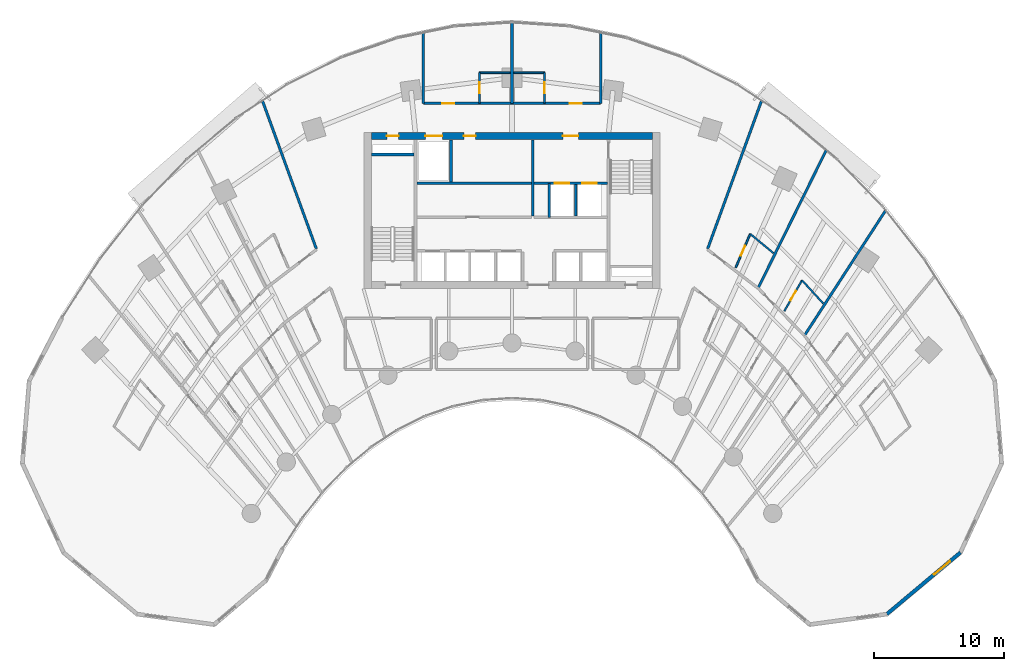
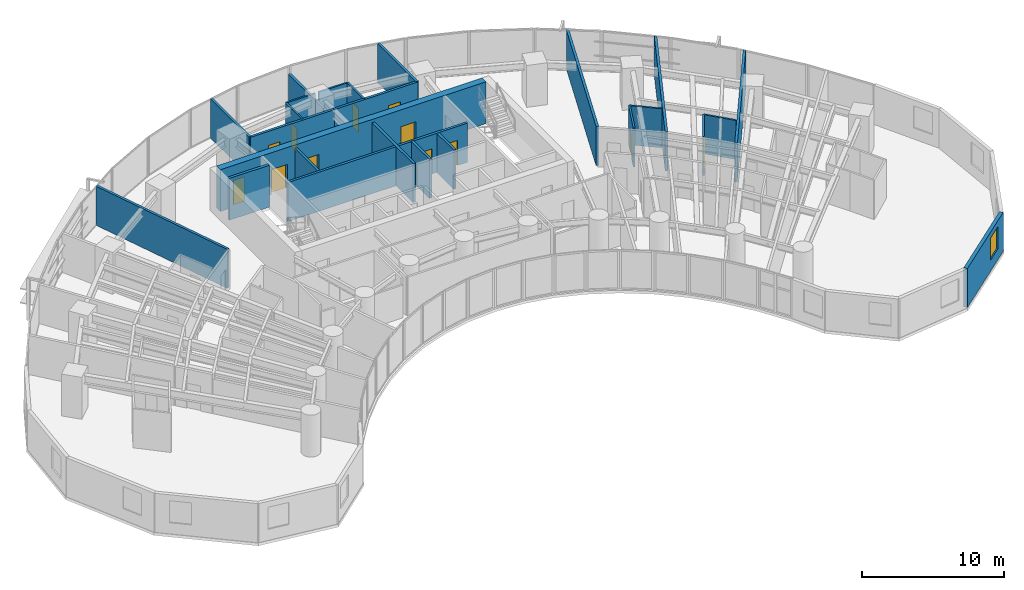
# One storey, part 14 of 18: 26 walls, 12 doors, 1 window, 13 openings.
"""IFC4 building model written with IfcOpenShell, lengths in metres."""

from ifc_helpers import new_model, si_unit, direction, frame, frame_2d, origin, place, context, subcontext, project, spatial, rectangle, extrude, source, transform, mapped, material, layer, layer_set, type_object, type_shapes, element, fill, save


model = new_model("IFC4")

# Units and contexts
model_context = context("Model", 3, precision=1e-05, world=origin(), true_north=direction((0.0, 1.0)))
body_context = subcontext(model_context, "Body", "Model", "MODEL_VIEW")
ifc_project = project(units=[si_unit("LENGTHUNIT", "METRE"), si_unit("AREAUNIT", "SQUARE_METRE"), si_unit("VOLUMEUNIT", "CUBIC_METRE"), si_unit("PLANEANGLEUNIT", "RADIAN"), si_unit("MASSUNIT", "GRAM", prefix="KILO")], contexts=[model_context])

# Site, building, storey
site_placement = place(None, origin())
site = spatial("IfcSite", under=ifc_project, at=site_placement, CompositionType="ELEMENT")
building_placement = place(site_placement, origin())
building = spatial("IfcBuilding", under=site, at=building_placement, Name="Breltana Convention Tower", CompositionType="ELEMENT")
storey_placement = place(building_placement, frame((0.0, 0.0, 39.0)))
storey = spatial("IfcBuildingStorey", under=building, at=storey_placement, Name="L07", CompositionType="ELEMENT", Elevation=39.0)

# Wall, openings, doors
ifc_material_1 = material(Name="Concrete C60/75", Category="concrete")
ifc_layer_1 = layer(ifc_material_1, 0.550048828125, Name="Concrete C60/75")
ifc_layer_set_1 = layer_set([ifc_layer_1], Name="Concrete C60/75")
wall_type_1 = type_object("IfcWallType", Name="SW-CORE-550", PredefinedType="SHEAR", material=ifc_layer_set_1)
shared_shape_1 = source(origin(), body_context, "Body", "SweptSolid", [
    extrude(rectangle(XDim=21.60009765625, YDim=0.550048828125, at=frame_2d((10.800048828125, 0.0))), origin(), (0.0, 0.0, 1.0), 3.60009765625),
])
wall_1_placement = place(storey_placement, frame((37.199951171875, 71.925048828125, 0.0), z_axis=(0.0, 0.0, 1.0), x_axis=(1.0, 0.0, 0.0)))
wall_1 = element("IfcWall", 1, at=wall_1_placement, inside=storey, type_object=wall_type_1, Name="L07 North Core Shear Wall", PredefinedType="SHEAR", context=body_context, shape_type="MappedRepresentation", body=[
    mapped(shared_shape_1, transform((0.0, 0.0, 0.0), scale=1.0)),
])
opening_1_placement = place(wall_1_placement, frame((1.199951171875, 0.0, 0.0)))
opening_1 = element("IfcOpeningElement", 2, at=opening_1_placement, cuts=wall_1, Name="Opening D-18", PredefinedType="OPENING", context=body_context, shape_type="SweptSolid", body=[
    extrude(rectangle(XDim=0.89990234375, YDim=2.10009765625, at=frame_2d((0.449951171875, 1.050048828125))), frame((0.0, 0.28515625, 0.0), z_axis=(0.0, -1.0, 0.0), x_axis=(1.0, 0.0, 0.0)), (0.0, 0.0, 1.0), 0.570068359375),
])
opening_2_placement = place(wall_1_placement, frame((14.699951171875, 0.0, 0.0)))
opening_2 = element("IfcOpeningElement", 3, at=opening_2_placement, cuts=wall_1, Name="Opening D-09", PredefinedType="OPENING", context=body_context, shape_type="SweptSolid", body=[
    extrude(rectangle(XDim=1.199951171875, YDim=2.14990234375, at=frame_2d((0.60009765625, 1.074951171875))), frame((0.0, 0.28515625, 0.0), z_axis=(0.0, -1.0, 0.0), x_axis=(1.0, 0.0, 0.0)), (0.0, 0.0, 1.0), 0.570068359375),
])
opening_3_placement = place(wall_1_placement, frame((4.14990234375, 0.0, 0.0)))
opening_3 = element("IfcOpeningElement", 4, at=opening_3_placement, cuts=wall_1, Name="Opening LD-01", PredefinedType="OPENING", context=body_context, shape_type="SweptSolid", body=[
    extrude(rectangle(XDim=1.300048828125, YDim=2.14990234375, at=frame_2d((0.64990234375, 1.074951171875))), frame((0.0, 0.28515625, 0.0), z_axis=(0.0, -1.0, 0.0), x_axis=(1.0, 0.0, 0.0)), (0.0, 0.0, 1.0), 0.570068359375),
])
opening_4_placement = place(wall_1_placement, frame((7.10009765625, 0.0, 0.0)))
opening_4 = element("IfcOpeningElement", 5, at=opening_4_placement, cuts=wall_1, Name="Opening D-18", PredefinedType="OPENING", context=body_context, shape_type="SweptSolid", body=[
    extrude(rectangle(XDim=0.89990234375, YDim=2.10009765625, at=frame_2d((0.449951171875, 1.050048828125))), frame((0.0, 0.28515625, 0.0), z_axis=(0.0, -1.0, 0.0), x_axis=(1.0, 0.0, 0.0)), (0.0, 0.0, 1.0), 0.570068359375),
])
ifc_material_2 = material(Name="Steel Riser Fire Door", Category="steel")
door_type_1 = type_object("IfcDoorType", Name="DR-FD60-900", OperationType="NOTDEFINED", PredefinedType="DOOR", material=ifc_material_2)
shared_shape_2 = source(origin(), body_context, "Body", "SweptSolid", [
    extrude(rectangle(XDim=0.89990234375, YDim=2.10009765625, at=frame_2d((0.449951171875, 1.050048828125))), frame((0.0, 0.02490234375, 0.0), z_axis=(0.0, -1.0, 0.0), x_axis=(1.0, 0.0, 0.0)), (0.0, 0.0, 1.0), 0.050048828125),
])
type_shapes(door_type_1, [shared_shape_2])
door_1_placement = place(opening_1_placement, origin())
door_1 = element("IfcDoor", 6, at=door_1_placement, inside=storey, type_object=door_type_1, Name="L07 Core Riser Access Door D-L07-RS1", OperationType="SINGLE_SWING_LEFT", OverallHeight=2.10009765625, OverallWidth=0.89990234375, PredefinedType="DOOR", context=body_context, shape_type="MappedRepresentation", body=[
    mapped(shared_shape_2, transform((0.0, 0.0, 0.0), scale=1.0)),
])
fill(opening_1, door_1)
door_2_placement = place(opening_4_placement, origin())
door_2 = element("IfcDoor", 7, at=door_2_placement, inside=storey, type_object=door_type_1, Name="L07 interior door D-L07-CRA1", OperationType="SINGLE_SWING_LEFT", OverallHeight=2.10009765625, OverallWidth=0.89990234375, PredefinedType="DOOR", context=body_context, shape_type="MappedRepresentation", body=[
    mapped(shared_shape_2, transform((0.0, 0.0, 0.0), scale=1.0)),
])
fill(opening_4, door_2)
ifc_material_3 = material(Name="Steel Fire Lobby Door", Category="steel")
door_type_2 = type_object("IfcDoorType", Name="DR-FD120-1200", OperationType="NOTDEFINED", PredefinedType="DOOR", material=ifc_material_3)
shared_shape_3 = source(origin(), body_context, "Body", "SweptSolid", [
    extrude(rectangle(XDim=1.199951171875, YDim=2.14990234375, at=frame_2d((0.60009765625, 1.074951171875))), frame((0.0, 0.02490234375, 0.0), z_axis=(0.0, -1.0, 0.0), x_axis=(1.0, 0.0, 0.0)), (0.0, 0.0, 1.0), 0.050048828125),
])
type_shapes(door_type_2, [shared_shape_3])
door_3_placement = place(opening_2_placement, origin())
door_3 = element("IfcDoor", 8, at=door_3_placement, inside=storey, type_object=door_type_2, Name="L07 interior door D-L07-FFL-N", OperationType="SINGLE_SWING_RIGHT", OverallHeight=2.14990234375, OverallWidth=1.199951171875, PredefinedType="DOOR", context=body_context, shape_type="MappedRepresentation", body=[
    mapped(shared_shape_3, transform((0.0, 0.0, 0.0), scale=1.0)),
])
fill(opening_2, door_3)
ifc_material_4 = material(Name="Stainless Steel Brushed", Category="steel")
door_type_3 = type_object("IfcDoorType", Name="DR-LD-SRV-1300", OperationType="DOUBLE_DOOR_SLIDING", PredefinedType="DOOR", material=ifc_material_4)
shared_shape_4 = source(origin(), body_context, "Body", "SweptSolid", [
    extrude(rectangle(XDim=1.300048828125, YDim=2.14990234375, at=frame_2d((0.64990234375, 1.074951171875))), frame((0.0, 0.02490234375, 0.0), z_axis=(0.0, -1.0, 0.0), x_axis=(1.0, 0.0, 0.0)), (0.0, 0.0, 1.0), 0.050048828125),
])
type_shapes(door_type_3, [shared_shape_4])
door_4_placement = place(opening_3_placement, origin())
door_4 = element("IfcDoor", 9, at=door_4_placement, inside=storey, type_object=door_type_3, Name="L07 Lift Landing Door D-L07-LD-SV1", OperationType="DOUBLE_DOOR_SLIDING", OverallHeight=2.14990234375, OverallWidth=1.300048828125, PredefinedType="DOOR", context=body_context, shape_type="MappedRepresentation", body=[
    mapped(shared_shape_4, transform((0.0, 0.0, 0.0), scale=1.0)),
])
fill(opening_3, door_4)

# Wall
ifc_material_5 = material(Name="Concrete C50/60", Category="concrete")
ifc_layer_2 = layer(ifc_material_5, 0.39990234375, Name="Concrete C50/60")
ifc_layer_set_2 = layer_set([ifc_layer_2], Name="Concrete C50/60")
wall_type_2 = type_object("IfcWallType", Name="SW-CORE-400", PredefinedType="SHEAR", material=ifc_layer_set_2)
shared_shape_5 = source(origin(), body_context, "Body", "SweptSolid", [
    extrude(rectangle(XDim=3.27001953125, YDim=0.219970703125, at=frame_2d((1.635009765625, 0.0))), origin(), (0.0, 0.0, 1.0), 3.60009765625),
])
wall_2_placement = place(storey_placement, frame((37.199951171875, 70.510009765625, 0.0), z_axis=(0.0, 0.0, 1.0), x_axis=(1.0, 0.0, 0.0)))
element("IfcWall", 10, at=wall_2_placement, inside=storey, type_object=wall_type_2, Name="L07 ST-1 Stairwell North Bearing Wall", PredefinedType="SHEAR", context=body_context, shape_type="MappedRepresentation", body=[
    mapped(shared_shape_5, transform((0.0, 0.0, 0.0), scale=1.0)),
])

# Wall, opening, window
ifc_material_6 = material(Name="Limestone Buff Insulated Wall", Category="masonry")
ifc_layer_3 = layer(ifc_material_6, 0.280029296875, Name="Limestone Buff Insulated Wall")
ifc_layer_set_3 = layer_set([ifc_layer_3], Name="Limestone Buff Insulated Wall")
wall_type_3 = type_object("IfcWallType", Name="WL-EXT-NOSE-280", PredefinedType="SOLIDWALL", material=ifc_layer_set_3)
shared_shape_6 = source(origin(), body_context, "Body", "SweptSolid", [
    extrude(rectangle(XDim=7.35888671875, YDim=0.280029296875, at=frame_2d((3.679443359375, 0.0))), origin(), (0.0, 0.0, 1.0), 3.360107421875),
])
wall_3_placement = place(storey_placement, frame((82.419677734375, 39.950927734375, 0.0), z_axis=(0.0, 0.0, 1.0), x_axis=(-0.766737165543, -0.641961150675, 0.0)))
wall_3 = element("IfcWall", 11, at=wall_3_placement, inside=storey, type_object=wall_type_3, Name="L07 curved limestone nose wall E3", PredefinedType="SOLIDWALL", context=body_context, shape_type="MappedRepresentation", body=[
    mapped(shared_shape_6, transform((0.0, 0.0, 0.0), scale=1.0)),
])
opening_5_placement = place(wall_3_placement, frame((1.039794921875, 0.0, 0.949951171875)))
opening_5 = element("IfcOpeningElement", 12, at=opening_5_placement, cuts=wall_3, Name="Opening W-04", PredefinedType="OPENING", context=body_context, shape_type="SweptSolid", body=[
    extrude(rectangle(XDim=1.60009765625, YDim=1.89990234375, at=frame_2d((0.800048828125, 0.949951171875))), frame((0.0, 0.14990234375, 0.0), z_axis=(0.0, -1.0, 0.0), x_axis=(1.0, 0.0, 0.0)), (0.0, 0.0, 1.0), 0.300048828125),
])
ifc_material_7 = material(Name="Glass Low-E Insulated Window", Category="glass")
window_type = type_object("IfcWindowType", Name="WN-NOSE-1600X1900", PartitioningType="SINGLE_PANEL", PredefinedType="WINDOW", material=ifc_material_7)
shared_shape_7 = source(origin(), body_context, "Body", "SweptSolid", [
    extrude(rectangle(XDim=1.60009765625, YDim=1.89990234375, at=frame_2d((0.800048828125, 0.949951171875))), frame((0.0, 0.030029296875, 0.0), z_axis=(0.0, -1.0, 0.0), x_axis=(1.0, 0.0, 0.0)), (0.0, 0.0, 1.0), 0.06005859375),
])
type_shapes(window_type, [shared_shape_7])
window_placement = place(opening_5_placement, origin())
window = element("IfcWindow", 13, at=window_placement, inside=storey, type_object=window_type, Name="L07 nose window E3", OverallHeight=1.89990234375, OverallWidth=1.60009765625, PartitioningType="SINGLE_PANEL", PredefinedType="WINDOW", context=body_context, shape_type="MappedRepresentation", body=[
    mapped(shared_shape_7, transform((0.0, 0.0, 0.0), scale=1.0)),
])
fill(opening_5, window)

# Wall, openings, doors
ifc_material_8 = material(Name="Autoclaved Aerated Concrete Block", Category="concrete")
ifc_layer_4 = layer(ifc_material_8, 0.199951171875, Name="Autoclaved Aerated Concrete Block")
ifc_layer_set_4 = layer_set([ifc_layer_4], Name="Autoclaved Aerated Concrete Block")
wall_type_4 = type_object("IfcWallType", Name="WL-SHAFT-200", PredefinedType="SOLIDWALL", material=ifc_layer_set_4)
shared_shape_8 = source(origin(), body_context, "Body", "SweptSolid", [
    extrude(rectangle(XDim=5.6201171875, YDim=0.199951171875, at=frame_2d((2.81005859375, 0.0))), origin(), (0.0, 0.0, 1.0), 3.360107421875),
])
wall_4_placement = place(storey_placement, frame((49.699951171875, 68.300048828125, 0.0), z_axis=(0.0, 0.0, 1.0), x_axis=(1.0, 0.0, 0.0)))
wall_4 = element("IfcWall", 14, at=wall_4_placement, inside=storey, type_object=wall_type_4, Name="L07 interior partition W-L07-FFL-S", PredefinedType="SOLIDWALL", context=body_context, shape_type="MappedRepresentation", body=[
    mapped(shared_shape_8, transform((0.0, 0.0, 0.0), scale=1.0)),
])
opening_6_placement = place(wall_4_placement, frame((1.60009765625, 0.0, 0.0)))
opening_6 = element("IfcOpeningElement", 15, at=opening_6_placement, cuts=wall_4, Name="Opening LD-03", PredefinedType="OPENING", context=body_context, shape_type="SweptSolid", body=[
    extrude(rectangle(XDim=1.10009765625, YDim=2.14990234375, at=frame_2d((0.550048828125, 1.074951171875))), frame((0.0, 0.10986328125, 0.0), z_axis=(0.0, -1.0, 0.0), x_axis=(1.0, 0.0, 0.0)), (0.0, 0.0, 1.0), 0.219970703125),
])
opening_7_placement = place(wall_4_placement, frame((3.699951171875, 0.0, 0.0)))
opening_7 = element("IfcOpeningElement", 16, at=opening_7_placement, cuts=wall_4, Name="Opening LD-03", PredefinedType="OPENING", context=body_context, shape_type="SweptSolid", body=[
    extrude(rectangle(XDim=1.10009765625, YDim=2.14990234375, at=frame_2d((0.550048828125, 1.074951171875))), frame((0.0, 0.10986328125, 0.0), z_axis=(0.0, -1.0, 0.0), x_axis=(1.0, 0.0, 0.0)), (0.0, 0.0, 1.0), 0.219970703125),
])
door_type_4 = type_object("IfcDoorType", Name="DR-LD-FF-1100", OperationType="DOUBLE_DOOR_SLIDING", PredefinedType="DOOR", material=ifc_material_4)
shared_shape_9 = source(origin(), body_context, "Body", "SweptSolid", [
    extrude(rectangle(XDim=1.10009765625, YDim=2.14990234375, at=frame_2d((0.550048828125, 1.074951171875))), frame((0.0, 0.02490234375, 0.0), z_axis=(0.0, -1.0, 0.0), x_axis=(1.0, 0.0, 0.0)), (0.0, 0.0, 1.0), 0.050048828125),
])
type_shapes(door_type_4, [shared_shape_9])
door_5_placement = place(opening_6_placement, origin())
door_5 = element("IfcDoor", 17, at=door_5_placement, inside=storey, type_object=door_type_4, Name="L07 Lift Landing Door D-L07-LD-FL1", OperationType="DOUBLE_DOOR_SLIDING", OverallHeight=2.14990234375, OverallWidth=1.10009765625, PredefinedType="DOOR", context=body_context, shape_type="MappedRepresentation", body=[
    mapped(shared_shape_9, transform((0.0, 0.0, 0.0), scale=1.0)),
])
fill(opening_6, door_5)
door_6_placement = place(opening_7_placement, origin())
door_6 = element("IfcDoor", 18, at=door_6_placement, inside=storey, type_object=door_type_4, Name="L07 Lift Landing Door D-L07-LD-FL2", OperationType="DOUBLE_DOOR_SLIDING", OverallHeight=2.14990234375, OverallWidth=1.10009765625, PredefinedType="DOOR", context=body_context, shape_type="MappedRepresentation", body=[
    mapped(shared_shape_9, transform((0.0, 0.0, 0.0), scale=1.0)),
])
fill(opening_7, door_6)

# Walls
shared_shape_10 = source(origin(), body_context, "Body", "SweptSolid", [
    extrude(rectangle(XDim=5.800048828125, YDim=0.199951171875, at=frame_2d((2.89990234375, 0.0))), origin(), (0.0, 0.0, 1.0), 3.360107421875),
])
wall_5_placement = place(storey_placement, frame((49.60009765625, 65.800048828125, 0.0), z_axis=(0.0, 0.0, 1.0), x_axis=(0.0, 1.0, 0.0)))
element("IfcWall", 19, at=wall_5_placement, inside=storey, type_object=wall_type_4, Name="L07 interior partition W-L07-FFL-W", PredefinedType="SOLIDWALL", context=body_context, shape_type="MappedRepresentation", body=[
    mapped(shared_shape_10, transform((0.0, 0.0, 0.0), scale=1.0)),
])
shared_shape_11 = source(origin(), body_context, "Body", "SweptSolid", [
    extrude(rectangle(XDim=2.580078125, YDim=0.199951171875, at=frame_2d((1.2900390625, 0.0))), origin(), (0.0, 0.0, 1.0), 3.360107421875),
])
wall_6_placement = place(storey_placement, frame((50.85009765625, 65.679931640625, 0.0), z_axis=(0.0, 0.0, 1.0), x_axis=(0.0, 1.0, 0.0)))
element("IfcWall", 20, at=wall_6_placement, inside=storey, type_object=wall_type_4, Name="L07 interior partition W-L07-FL-W", PredefinedType="SOLIDWALL", context=body_context, shape_type="MappedRepresentation", body=[
    mapped(shared_shape_11, transform((0.0, 0.0, 0.0), scale=1.0)),
])
shared_shape_12 = source(origin(), body_context, "Body", "SweptSolid", [
    extrude(rectangle(XDim=2.39990234375, YDim=0.199951171875, at=frame_2d((1.199951171875, 0.0))), origin(), (0.0, 0.0, 1.0), 3.360107421875),
])
wall_7_placement = place(storey_placement, frame((52.89990234375, 65.800048828125, 0.0), z_axis=(0.0, 0.0, 1.0), x_axis=(0.0, 1.0, 0.0)))
element("IfcWall", 21, at=wall_7_placement, inside=storey, type_object=wall_type_4, Name="L07 interior partition W-L07-FL-DIV", PredefinedType="SOLIDWALL", context=body_context, shape_type="MappedRepresentation", body=[
    mapped(shared_shape_12, transform((0.0, 0.0, 0.0), scale=1.0)),
])
shared_shape_13 = source(origin(), body_context, "Body", "SweptSolid", [
    extrude(rectangle(XDim=3.2001953125, YDim=0.199951171875, at=frame_2d((1.60009765625, 0.0))), origin(), (0.0, 0.0, 1.0), 3.360107421875),
])
wall_8_placement = place(storey_placement, frame((43.320068359375, 68.39990234375, 0.0), z_axis=(0.0, 0.0, 1.0), x_axis=(0.0, 1.0, 0.0)))
element("IfcWall", 22, at=wall_8_placement, inside=storey, type_object=wall_type_4, Name="L07 interior partition W-L07-SV-E", PredefinedType="SOLIDWALL", context=body_context, shape_type="MappedRepresentation", body=[
    mapped(shared_shape_13, transform((0.0, 0.0, 0.0), scale=1.0)),
])
shared_shape_14 = source(origin(), body_context, "Body", "SweptSolid", [
    extrude(rectangle(XDim=8.800048828125, YDim=0.199951171875, at=frame_2d((4.39990234375, 0.0))), origin(), (0.0, 0.0, 1.0), 3.360107421875),
])
wall_9_placement = place(storey_placement, frame((40.699951171875, 68.300048828125, 0.0), z_axis=(0.0, 0.0, 1.0), x_axis=(1.0, 0.0, 0.0)))
element("IfcWall", 23, at=wall_9_placement, inside=storey, type_object=wall_type_4, Name="L07 interior partition W-L07-SV-S", PredefinedType="SOLIDWALL", context=body_context, shape_type="MappedRepresentation", body=[
    mapped(shared_shape_14, transform((0.0, 0.0, 0.0), scale=1.0)),
])

# Wall, opening, door
ifc_material_9 = material(Name="Gypsum Acoustic Hotel Wall")
ifc_layer_5 = layer(ifc_material_9, 0.195068359375, Name="Gypsum Acoustic Hotel Wall")
ifc_layer_set_5 = layer_set([ifc_layer_5], Name="Gypsum Acoustic Hotel Wall")
wall_type_5 = type_object("IfcWallType", Name="WL-HOTEL-200", PredefinedType="PARTITIONING", material=ifc_layer_set_5)
shared_shape_15 = source(origin(), body_context, "Body", "SweptSolid", [
    extrude(rectangle(XDim=6.800048828125, YDim=0.195068359375, at=frame_2d((3.39990234375, 0.0))), origin(), (0.0, 0.0, 1.0), 3.360107421875),
])
type_shapes(wall_type_5, [shared_shape_15])
wall_10_placement = place(storey_placement, frame((41.199951171875, 74.419921875, 0.0), z_axis=(0.0, 0.0, 1.0), x_axis=(1.0, 0.0, 0.0)))
wall_10 = element("IfcWall", 24, at=wall_10_placement, inside=storey, type_object=wall_type_5, Name="L07 interior partition W-L07-GRN1-S", PredefinedType="PARTITIONING", context=body_context, shape_type="MappedRepresentation", body=[
    mapped(shared_shape_15, transform((0.0, 0.0, 0.0), scale=1.0)),
])
opening_8_placement = place(wall_10_placement, frame((1.428955078125, 0.0, 0.0)))
opening_8 = element("IfcOpeningElement", 25, at=opening_8_placement, cuts=wall_10, Name="Opening D-14", PredefinedType="OPENING", context=body_context, shape_type="SweptSolid", body=[
    extrude(rectangle(XDim=0.949951171875, YDim=2.14990234375, at=frame_2d((0.47509765625, 1.074951171875))), frame((0.0, 0.107421875, 0.0), z_axis=(0.0, -1.0, 0.0), x_axis=(1.0, 0.0, 0.0)), (0.0, 0.0, 1.0), 0.215087890625),
])
ifc_material_10 = material(Name="Timber Solid-Core Fire Door", Category="wood")
door_type_5 = type_object("IfcDoorType", Name="DR-FD60-950", OperationType="NOTDEFINED", PredefinedType="DOOR", material=ifc_material_10)
shared_shape_16 = source(origin(), body_context, "Body", "SweptSolid", [
    extrude(rectangle(XDim=0.949951171875, YDim=2.14990234375, at=frame_2d((0.47509765625, 1.074951171875))), frame((0.0, 0.02490234375, 0.0), z_axis=(0.0, -1.0, 0.0), x_axis=(1.0, 0.0, 0.0)), (0.0, 0.0, 1.0), 0.050048828125),
])
type_shapes(door_type_5, [shared_shape_16])
door_7_placement = place(opening_8_placement, origin())
door_7 = element("IfcDoor", 26, at=door_7_placement, inside=storey, type_object=door_type_5, Name="L07 interior door D-L07-GRN1", OperationType="SINGLE_SWING_RIGHT", OverallHeight=2.14990234375, OverallWidth=0.949951171875, PredefinedType="DOOR", context=body_context, shape_type="MappedRepresentation", body=[
    mapped(shared_shape_16, transform((0.0, 0.0, 0.0), scale=1.0)),
])
fill(opening_8, door_7)

wall_11_placement = place(storey_placement, frame((48.0, 74.419921875, 0.0), z_axis=(0.0, 0.0, 1.0), x_axis=(1.0, 0.0, 0.0)))
wall_11 = element("IfcWall", 27, at=wall_11_placement, inside=storey, type_object=wall_type_5, Name="L07 interior partition W-L07-GRN2-S", PredefinedType="PARTITIONING", context=body_context, shape_type="MappedRepresentation", body=[
    mapped(shared_shape_15, transform((0.0, 0.0, 0.0), scale=1.0)),
])
opening_9_placement = place(wall_11_placement, frame((4.4208984375, 0.0, 0.0)))
opening_9 = element("IfcOpeningElement", 28, at=opening_9_placement, cuts=wall_11, Name="Opening D-14", PredefinedType="OPENING", context=body_context, shape_type="SweptSolid", body=[
    extrude(rectangle(XDim=0.949951171875, YDim=2.14990234375, at=frame_2d((0.47509765625, 1.074951171875))), frame((0.0, 0.107421875, 0.0), z_axis=(0.0, -1.0, 0.0), x_axis=(1.0, 0.0, 0.0)), (0.0, 0.0, 1.0), 0.215087890625),
])
door_8_placement = place(opening_9_placement, origin())
door_8 = element("IfcDoor", 29, at=door_8_placement, inside=storey, type_object=door_type_5, Name="L07 interior door D-L07-GRN2", OperationType="SINGLE_SWING_RIGHT", OverallHeight=2.14990234375, OverallWidth=0.949951171875, PredefinedType="DOOR", context=body_context, shape_type="MappedRepresentation", body=[
    mapped(shared_shape_16, transform((0.0, 0.0, 0.0), scale=1.0)),
])
fill(opening_9, door_8)

# Walls
shared_shape_17 = source(origin(), body_context, "Body", "SweptSolid", [
    extrude(rectangle(XDim=6.215576171875, YDim=0.195068359375, at=frame_2d((3.10791015625, 0.0))), origin(), (0.0, 0.0, 1.0), 2.64404296875),
])
wall_12_placement = place(storey_placement, frame((48.0, 74.419921875, 0.0), z_axis=(0.0, 0.0, 1.0), x_axis=(0.0, 1.0, 0.0)))
element("IfcWall", 30, at=wall_12_placement, inside=storey, type_object=wall_type_5, Name="L07 interior partition W-L07-GRN-MID", PredefinedType="PARTITIONING", context=body_context, shape_type="MappedRepresentation", body=[
    mapped(shared_shape_17, transform((0.0, 0.0, 0.0), scale=1.0)),
])
shared_shape_18 = source(origin(), body_context, "Body", "SweptSolid", [
    extrude(rectangle(XDim=5.42626953125, YDim=0.195068359375, at=frame_2d((2.713134765625, 0.0))), origin(), (0.0, 0.0, 1.0), 3.360107421875),
])
for number, where, z_axis, x_axis, name in (
    (31, (41.199951171875, 74.419921875, 0.0), (0.0, 0.0, 1.0), (0.0, 1.0, 0.0), "L07 interior partition W-L07-GRN1-SD"),
    (32, (54.800048828125, 74.419921875, 0.0), (0.0, 0.0, 1.0), (0.0, 1.0, 0.0), "L07 interior partition W-L07-GRN2-SD"),
):
    element("IfcWall", number, at=place(storey_placement, frame(where, z_axis=z_axis, x_axis=x_axis)), inside=storey, type_object=wall_type_5, Name=name, PredefinedType="PARTITIONING", context=body_context, shape_type="MappedRepresentation", body=[
        mapped(shared_shape_18, transform((0.0, 0.0, 0.0), scale=1.0)),
    ])
ifc_material_11 = material(Name="Moisture-Resistant En-Suite Partition")
ifc_layer_6 = layer(ifc_material_11, 0.139892578125, Name="Moisture-Resistant En-Suite Partition")
ifc_layer_set_6 = layer_set([ifc_layer_6], Name="Moisture-Resistant En-Suite Partition")
wall_type_6 = type_object("IfcWallType", Name="WL-WET-150", PredefinedType="PARTITIONING", material=ifc_layer_set_6)
shared_shape_19 = source(origin(), body_context, "Body", "SweptSolid", [
    extrude(rectangle(XDim=2.35009765625, YDim=0.139892578125, at=frame_2d((1.175048828125, 0.0))), origin(), (0.0, 0.0, 1.0), 3.360107421875),
])
type_shapes(wall_type_6, [shared_shape_19])
for number, where, z_axis, x_axis, name in (
    (33, (45.5, 76.780029296875, 0.0), (0.0, 0.0, 1.0), (1.0, 0.0, 0.0), "L07 interior partition W-L07-ENSN1-N"),
    (34, (48.14990234375, 76.780029296875, 0.0), (0.0, 0.0, 1.0), (1.0, 0.0, 0.0), "L07 interior partition W-L07-ENSN2-N"),
):
    element("IfcWall", number, at=place(storey_placement, frame(where, z_axis=z_axis, x_axis=x_axis)), inside=storey, type_object=wall_type_6, Name=name, PredefinedType="PARTITIONING", context=body_context, shape_type="MappedRepresentation", body=[
        mapped(shared_shape_19, transform((0.0, 0.0, 0.0), scale=1.0)),
    ])

# Wall, opening, door
shared_shape_20 = source(origin(), body_context, "Body", "SweptSolid", [
    extrude(rectangle(XDim=2.330078125, YDim=0.139892578125, at=frame_2d((1.1650390625, 0.0))), origin(), (0.0, 0.0, 1.0), 3.360107421875),
])
wall_13_placement = place(storey_placement, frame((45.5, 74.449951171875, 0.0), z_axis=(0.0, 0.0, 1.0), x_axis=(0.0, 1.0, 0.0)))
wall_13 = element("IfcWall", 35, at=wall_13_placement, inside=storey, type_object=wall_type_6, Name="L07 interior partition W-L07-ENSN1-SD", PredefinedType="PARTITIONING", context=body_context, shape_type="MappedRepresentation", body=[
    mapped(shared_shape_20, transform((0.0, 0.0, 0.0), scale=1.0)),
])
opening_10_placement = place(wall_13_placement, frame((0.739990234375, 0.0, 0.0)))
opening_10 = element("IfcOpeningElement", 36, at=opening_10_placement, cuts=wall_13, Name="Opening D-21", PredefinedType="OPENING", context=body_context, shape_type="SweptSolid", body=[
    extrude(rectangle(XDim=0.85009765625, YDim=2.050048828125, at=frame_2d((0.425048828125, 1.02490234375))), frame((0.0, 0.080078125, 0.0), z_axis=(0.0, -1.0, 0.0), x_axis=(1.0, 0.0, 0.0)), (0.0, 0.0, 1.0), 0.159912109375),
])
ifc_material_12 = material(Name="Timber Moisture-Resistant En-Suite Door", Category="wood")
door_type_6 = type_object("IfcDoorType", Name="DR-WET-850", OperationType="NOTDEFINED", PredefinedType="DOOR", material=ifc_material_12)
shared_shape_21 = source(origin(), body_context, "Body", "SweptSolid", [
    extrude(rectangle(XDim=0.85009765625, YDim=2.050048828125, at=frame_2d((0.425048828125, 1.02490234375))), frame((0.0, 0.02490234375, 0.0), z_axis=(0.0, -1.0, 0.0), x_axis=(1.0, 0.0, 0.0)), (0.0, 0.0, 1.0), 0.050048828125),
])
type_shapes(door_type_6, [shared_shape_21])
door_9_placement = place(opening_10_placement, origin())
door_9 = element("IfcDoor", 37, at=door_9_placement, inside=storey, type_object=door_type_6, Name="L07 interior door D-L07-ENSN1", OperationType="SINGLE_SWING_LEFT", OverallHeight=2.050048828125, OverallWidth=0.85009765625, PredefinedType="DOOR", context=body_context, shape_type="MappedRepresentation", body=[
    mapped(shared_shape_21, transform((0.0, 0.0, 0.0), scale=1.0)),
])
fill(opening_10, door_9)

wall_14_placement = place(storey_placement, frame((50.5, 74.449951171875, 0.0), z_axis=(0.0, 0.0, 1.0), x_axis=(0.0, 1.0, 0.0)))
wall_14 = element("IfcWall", 38, at=wall_14_placement, inside=storey, type_object=wall_type_6, Name="L07 interior partition W-L07-ENSN2-SD", PredefinedType="PARTITIONING", context=body_context, shape_type="MappedRepresentation", body=[
    mapped(shared_shape_20, transform((0.0, 0.0, 0.0), scale=1.0)),
])
opening_11_placement = place(wall_14_placement, frame((0.739990234375, 0.0, 0.0)))
opening_11 = element("IfcOpeningElement", 39, at=opening_11_placement, cuts=wall_14, Name="Opening D-21", PredefinedType="OPENING", context=body_context, shape_type="SweptSolid", body=[
    extrude(rectangle(XDim=0.85009765625, YDim=2.050048828125, at=frame_2d((0.425048828125, 1.02490234375))), frame((0.0, 0.080078125, 0.0), z_axis=(0.0, -1.0, 0.0), x_axis=(1.0, 0.0, 0.0)), (0.0, 0.0, 1.0), 0.159912109375),
])
door_10_placement = place(opening_11_placement, origin())
door_10 = element("IfcDoor", 40, at=door_10_placement, inside=storey, type_object=door_type_6, Name="L07 interior door D-L07-ENSN2", OperationType="SINGLE_SWING_LEFT", OverallHeight=2.050048828125, OverallWidth=0.85009765625, PredefinedType="DOOR", context=body_context, shape_type="MappedRepresentation", body=[
    mapped(shared_shape_21, transform((0.0, 0.0, 0.0), scale=1.0)),
])
fill(opening_11, door_10)

# Walls
shared_shape_22 = source(origin(), body_context, "Body", "SweptSolid", [
    extrude(rectangle(XDim=11.402587890625, YDim=0.195068359375, at=frame_2d((5.701171875, 0.0))), origin(), (0.0, 0.0, 1.0), 3.360107421875),
])
wall_15_placement = place(storey_placement, frame((70.4765625, 56.6474609375, 0.0), z_axis=(0.0, 0.0, 1.0), x_axis=(0.544246090008, 0.838925618581, 0.0)))
element("IfcWall", 41, at=wall_15_placement, inside=storey, type_object=wall_type_5, Name="L07 interior partition W-L07-HK09-RB", PredefinedType="PARTITIONING", context=body_context, shape_type="MappedRepresentation", body=[
    mapped(shared_shape_22, transform((0.0, 0.0, 0.0), scale=1.0)),
])
shared_shape_23 = source(origin(), body_context, "Body", "SweptSolid", [
    extrude(rectangle(XDim=11.769775390625, YDim=0.195068359375, at=frame_2d((5.884765625, 0.0))), origin(), (0.0, 0.0, 1.0), 3.360107421875),
])
wall_16_placement = place(storey_placement, frame((66.909423828125, 60.282470703125, 0.0), z_axis=(0.0, 0.0, 1.0), x_axis=(0.44286060326, 0.896590478468, 0.0)))
element("IfcWall", 42, at=wall_16_placement, inside=storey, type_object=wall_type_5, Name="L07 interior partition W-L07-HK07-RB", PredefinedType="PARTITIONING", context=body_context, shape_type="MappedRepresentation", body=[
    mapped(shared_shape_23, transform((0.0, 0.0, 0.0), scale=1.0)),
])
shared_shape_24 = source(origin(), body_context, "Body", "SweptSolid", [
    extrude(rectangle(XDim=2.415771484375, YDim=0.139892578125, at=frame_2d((1.2080078125, 0.0))), origin(), (0.0, 0.0, 1.0), 3.360107421875),
])
wall_17_placement = place(storey_placement, frame((70.260498046875, 60.845703125, 0.0), z_axis=(0.0, 0.0, 1.0), x_axis=(0.675399637907, -0.737451916476, 0.0)))
element("IfcWall", 43, at=wall_17_placement, inside=storey, type_object=wall_type_6, Name="L07 interior partition W-L07-HK09E-BK", PredefinedType="PARTITIONING", context=body_context, shape_type="MappedRepresentation", body=[
    mapped(shared_shape_24, transform((0.0, 0.0, 0.0), scale=1.0)),
])

# Wall, opening, door
shared_shape_25 = source(origin(), body_context, "Body", "SweptSolid", [
    extrude(rectangle(XDim=2.731689453125, YDim=0.139892578125, at=frame_2d((1.36572265625, 0.0))), origin(), (0.0, 0.0, 1.0), 3.360107421875),
])
wall_18_placement = place(storey_placement, frame((68.902099609375, 58.4755859375, 0.0), z_axis=(0.0, 0.0, 1.0), x_axis=(0.497254966372, 0.867604459658, 0.0)))
wall_18 = element("IfcWall", 44, at=wall_18_placement, inside=storey, type_object=wall_type_6, Name="L07 interior partition W-L07-HK09E-SD", PredefinedType="PARTITIONING", context=body_context, shape_type="MappedRepresentation", body=[
    mapped(shared_shape_25, transform((0.0, 0.0, 0.0), scale=1.0)),
])
opening_12_placement = place(wall_18_placement, frame((0.94091796875, 0.0, 0.0)))
opening_12 = element("IfcOpeningElement", 45, at=opening_12_placement, cuts=wall_18, Name="Opening D-21", PredefinedType="OPENING", context=body_context, shape_type="SweptSolid", body=[
    extrude(rectangle(XDim=0.85009765625, YDim=2.050048828125, at=frame_2d((0.425048828125, 1.02490234375))), frame((0.0, 0.080078125, 0.0), z_axis=(0.0, -1.0, 0.0), x_axis=(1.0, 0.0, 0.0)), (0.0, 0.0, 1.0), 0.159912109375),
])
door_11_placement = place(opening_12_placement, origin())
door_11 = element("IfcDoor", 46, at=door_11_placement, inside=storey, type_object=door_type_6, Name="L07 interior door D-L07-HK09E", OperationType="SINGLE_SWING_LEFT", OverallHeight=2.050048828125, OverallWidth=0.85009765625, PredefinedType="DOOR", context=body_context, shape_type="MappedRepresentation", body=[
    mapped(shared_shape_21, transform((0.0, 0.0, 0.0), scale=1.0)),
])
fill(opening_12, door_11)

# Walls
shared_shape_26 = source(origin(), body_context, "Body", "SweptSolid", [
    extrude(rectangle(XDim=12.088134765625, YDim=0.195068359375, at=frame_2d((6.0439453125, 0.0))), origin(), (0.0, 0.0, 1.0), 3.360107421875),
])
for number, where, z_axis, x_axis, name in (
    (47, (32.9814453125, 63.26220703125, 0.0), (0.0, 0.0, 1.0), (-0.34203007529, 0.939689005787, 0.0), "L07 interior partition W-L07-HK05-RB"),
    (48, (63.0185546875, 63.26220703125, 0.0), (0.0, 0.0, 1.0), (0.34203007529, 0.939689005787, 0.0), "L07 interior partition W-L07-HK07-RA"),
):
    element("IfcWall", number, at=place(storey_placement, frame(where, z_axis=z_axis, x_axis=x_axis)), inside=storey, type_object=wall_type_5, Name=name, PredefinedType="PARTITIONING", context=body_context, shape_type="MappedRepresentation", body=[
        mapped(shared_shape_26, transform((0.0, 0.0, 0.0), scale=1.0)),
    ])
shared_shape_27 = source(origin(), body_context, "Body", "SweptSolid", [
    extrude(rectangle(XDim=2.324462890625, YDim=0.139892578125, at=frame_2d((1.162109375, 0.0))), origin(), (0.0, 0.0, 1.0), 3.360107421875),
])
wall_19_placement = place(storey_placement, frame((66.285888671875, 64.40673828125, 0.0), z_axis=(0.0, 0.0, 1.0), x_axis=(0.770746444956, -0.637141991701, 0.0)))
element("IfcWall", 49, at=wall_19_placement, inside=storey, type_object=wall_type_6, Name="L07 interior partition W-L07-HK07E-BK", PredefinedType="PARTITIONING", context=body_context, shape_type="MappedRepresentation", body=[
    mapped(shared_shape_27, transform((0.0, 0.0, 0.0), scale=1.0)),
])

# Wall, opening, door
shared_shape_28 = source(origin(), body_context, "Body", "SweptSolid", [
    extrude(rectangle(XDim=2.817626953125, YDim=0.139892578125, at=frame_2d((1.40869140625, 0.0))), origin(), (0.0, 0.0, 1.0), 3.360107421875),
])
wall_20_placement = place(storey_placement, frame((65.17041015625, 61.8193359375, 0.0), z_axis=(0.0, 0.0, 1.0), x_axis=(0.395894859341, 0.918295845764, 0.0)))
wall_20 = element("IfcWall", 50, at=wall_20_placement, inside=storey, type_object=wall_type_6, Name="L07 interior partition W-L07-HK07E-SD", PredefinedType="PARTITIONING", context=body_context, shape_type="MappedRepresentation", body=[
    mapped(shared_shape_28, transform((0.0, 0.0, 0.0), scale=1.0)),
])
opening_13_placement = place(wall_20_placement, frame((0.98388671875, 0.0, 0.0)))
opening_13 = element("IfcOpeningElement", 51, at=opening_13_placement, cuts=wall_20, Name="Opening D-21", PredefinedType="OPENING", context=body_context, shape_type="SweptSolid", body=[
    extrude(rectangle(XDim=0.85009765625, YDim=2.050048828125, at=frame_2d((0.425048828125, 1.02490234375))), frame((0.0, 0.080078125, 0.0), z_axis=(0.0, -1.0, 0.0), x_axis=(1.0, 0.0, 0.0)), (0.0, 0.0, 1.0), 0.159912109375),
])
door_12_placement = place(opening_13_placement, origin())
door_12 = element("IfcDoor", 52, at=door_12_placement, inside=storey, type_object=door_type_6, Name="L07 interior door D-L07-HK07E", OperationType="SINGLE_SWING_LEFT", OverallHeight=2.050048828125, OverallWidth=0.85009765625, PredefinedType="DOOR", context=body_context, shape_type="MappedRepresentation", body=[
    mapped(shared_shape_21, transform((0.0, 0.0, 0.0), scale=1.0)),
])
fill(opening_13, door_12)

save(model, "model.ifc")
